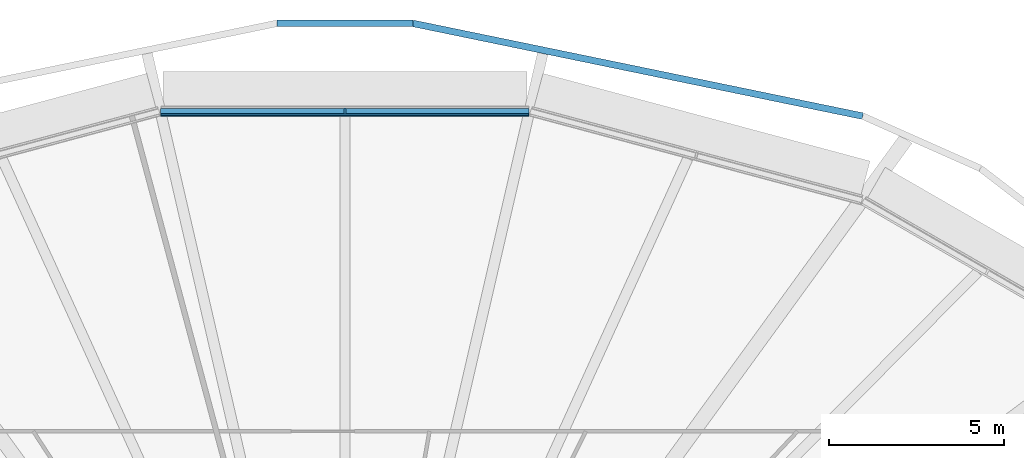
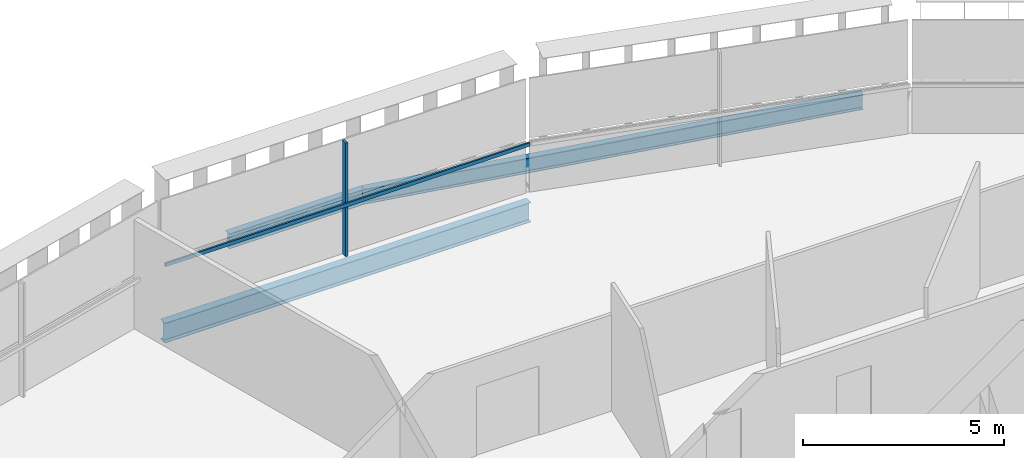
# One storey, part 7 of 20: 3 beams, 2 members, 1 element without a shape of its own.
"""IFC4 building model written with IfcOpenShell, lengths in metres."""

from ifc_helpers import new_model, si_unit, direction, frame, origin, origin_2d, place, context, subcontext, project, spatial, rectangle, i_section, extrude, material, layer, layer_set, material_profile, profile_set, type_object, element, aggregate, save


model = new_model("IFC4")

# Units and contexts
model_context = context("Model", 3, precision=1e-05, world=origin(), true_north=direction((0.0, 1.0)))
body_context = subcontext(model_context, "Body", "Model", "MODEL_VIEW")
ifc_project = project(units=[si_unit("LENGTHUNIT", "METRE"), si_unit("AREAUNIT", "SQUARE_METRE"), si_unit("VOLUMEUNIT", "CUBIC_METRE"), si_unit("PLANEANGLEUNIT", "RADIAN"), si_unit("MASSUNIT", "GRAM", prefix="KILO")], contexts=[model_context])

# Site, building, storey
site_placement = place(None, origin())
site = spatial("IfcSite", under=ifc_project, at=site_placement, CompositionType="ELEMENT")
building_placement = place(site_placement, origin())
building = spatial("IfcBuilding", under=site, at=building_placement, Name="Sahrelin Media Tower", CompositionType="ELEMENT")
storey_placement = place(building_placement, frame((0.0, 0.0, 221.60009765625)))
storey = spatial("IfcBuildingStorey", under=building, at=storey_placement, Name="L47", CompositionType="ELEMENT", Elevation=221.60009765625)

# Beam
ifc_material_1 = material(Name="Steel S355", Category="steel")
ifc_material_profile_1 = material_profile(ifc_material_1, i_section(OverallWidth=0.2275390625, OverallDepth=0.6025390625, WebThickness=0.010498046875, FlangeThickness=0.014892578125, FilletRadius=0.0126953125, at=origin_2d()), Name="UB 610x229x101")
ifc_profile_set_1 = profile_set([ifc_material_profile_1], Name="Steel S355")
beam_type_1 = type_object("IfcBeamType", Name="Edge beam EB7", PredefinedType="BEAM", material=ifc_profile_set_1)
beam_1_placement = place(storey_placement, frame((-5.255615234375, 22.775634765625, -0.451416015625), z_axis=(1.0, 0.0, 0.0), x_axis=(0.0, 1.0, 0.0)))
element("IfcBeam", 1, at=beam_1_placement, inside=storey, type_object=beam_type_1, Name="Edge beam L47-19", PredefinedType="BEAM", context=body_context, shape_type="SweptSolid", body=[
    extrude(i_section(OverallWidth=0.2275390625, OverallDepth=0.6025390625, WebThickness=0.010498046875, FlangeThickness=0.014892578125, FilletRadius=0.0126953125, at=origin_2d()), origin(), (0.0, 0.0, 1.0), 10.51123046875),
])

# Curtain wall, member
ifc_material_2 = material(Name="Champagne anodised aluminium 6063-T6", Category="aluminium")
ifc_layer = layer(ifc_material_2, 0.14990234375)
ifc_layer_set = layer_set([ifc_layer], Name="Tower ribbon curtain wall")
curtain_wall_type = type_object("IfcCurtainWallType", Name="Tower ribbon curtain wall", PredefinedType="NOTDEFINED", material=ifc_layer_set)
curtain_wall_placement = place(storey_placement, frame((0.0, 22.925537109375, 0.0), z_axis=(0.0, 0.0, 1.0), x_axis=(1.0, 0.0, 0.0)))
curtain_wall = element("IfcCurtainWall", 2, at=curtain_wall_placement, inside=storey, type_object=curtain_wall_type, Name="L47:CW:L47-06", PredefinedType="NOTDEFINED")
ifc_material_profile_2 = material_profile(ifc_material_2, rectangle(XDim=0.06005859375, YDim=0.175048828125, at=origin_2d()), Name="Mullion 60x175")
ifc_profile_set_2 = profile_set([ifc_material_profile_2], Name="Champagne anodised aluminium 6063-T6")
member_type_1 = type_object("IfcMemberType", Name="Mullion 60x175 CW1B", PredefinedType="MULLION", material=ifc_profile_set_2)
member_1_placement = place(storey_placement, frame((0.0, 22.818115234375, 0.0), z_axis=(0.0, 0.0, 1.0), x_axis=(-1.0, 0.0, 0.0)))
member_1 = element("IfcMember", 3, at=member_1_placement, type_object=member_type_1, Name="L47:CWM:L47-06", PredefinedType="MULLION", context=body_context, shape_type="SweptSolid", body=[
    extrude(rectangle(XDim=0.06005859375, YDim=0.175048828125, at=origin_2d()), origin(), (0.0, 0.0, 1.0), 3.448486328125),
])

# Beams
ifc_material_profile_3 = material_profile(ifc_material_1, i_section(OverallWidth=0.1904296875, OverallDepth=0.45703125, WebThickness=0.009033203125, FlangeThickness=0.014404296875, FilletRadius=0.01025390625, at=origin_2d()), Name="UB 457x191x74")
ifc_profile_set_3 = profile_set([ifc_material_profile_3], Name="Steel S355")
beam_type_2 = type_object("IfcBeamType", Name="Tie chord TC5", PredefinedType="BEAM", material=ifc_profile_set_3)
beam_2_placement = place(storey_placement, frame((14.767578125, 22.66748046875, -0.378662109375), z_axis=(-0.97939063421, 0.201975210415, 0.0), x_axis=(-0.201975210415, -0.97939063421, 0.0)))
element("IfcBeam", 4, at=beam_2_placement, inside=storey, type_object=beam_type_2, Name="Tie chord L47-05", PredefinedType="BEAM", context=body_context, shape_type="SweptSolid", body=[
    extrude(i_section(OverallWidth=0.1904296875, OverallDepth=0.45703125, WebThickness=0.009033203125, FlangeThickness=0.014404296875, FilletRadius=0.01025390625, at=origin_2d()), origin(), (0.0, 0.0, 1.0), 13.101806640625),
])
beam_3_placement = place(storey_placement, frame((1.935791015625, 25.313720703125, -0.378662109375), z_axis=(-1.0, 0.0, 0.0), x_axis=(0.0, -1.0, 0.0)))
element("IfcBeam", 5, at=beam_3_placement, inside=storey, type_object=beam_type_2, Name="Tie chord L47-06", PredefinedType="BEAM", context=body_context, shape_type="SweptSolid", body=[
    extrude(i_section(OverallWidth=0.1904296875, OverallDepth=0.45703125, WebThickness=0.009033203125, FlangeThickness=0.014404296875, FilletRadius=0.01025390625, at=origin_2d()), origin(), (0.0, 0.0, 1.0), 3.87158203125),
])

# Member
ifc_material_profile_4 = material_profile(ifc_material_2, rectangle(XDim=0.050048828125, YDim=0.110107421875, at=origin_2d()), Name="Transom 50x110")
ifc_profile_set_4 = profile_set([ifc_material_profile_4], Name="Champagne anodised aluminium 6063-T6")
member_type_2 = type_object("IfcMemberType", Name="Transom 50x110 CW1B", PredefinedType="USERDEFINED", material=ifc_profile_set_4)
member_2_placement = place(storey_placement, frame((5.239990234375, 22.70556640625, 1.599853515625), z_axis=(-1.0, 0.0, 0.0), x_axis=(0.0, -1.0, 0.0)))
member_2 = element("IfcMember", 6, at=member_2_placement, type_object=member_type_2, Name="L47:CWT:L47-06", ObjectType="TRANSOM", PredefinedType="USERDEFINED", context=body_context, shape_type="SweptSolid", body=[
    extrude(rectangle(XDim=0.050048828125, YDim=0.110107421875, at=origin_2d()), origin(), (0.0, 0.0, 1.0), 10.47998046875),
])

aggregate(curtain_wall, [member_1, member_2])

save(model, "model.ifc")
